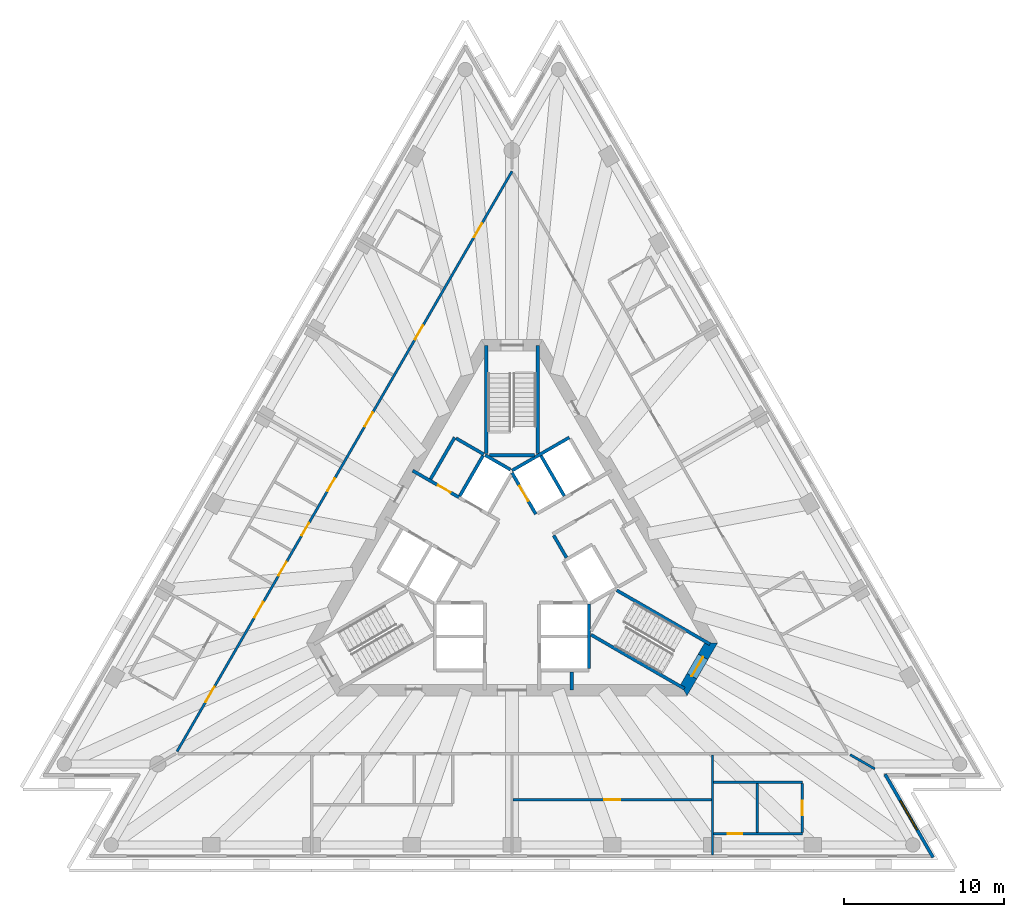
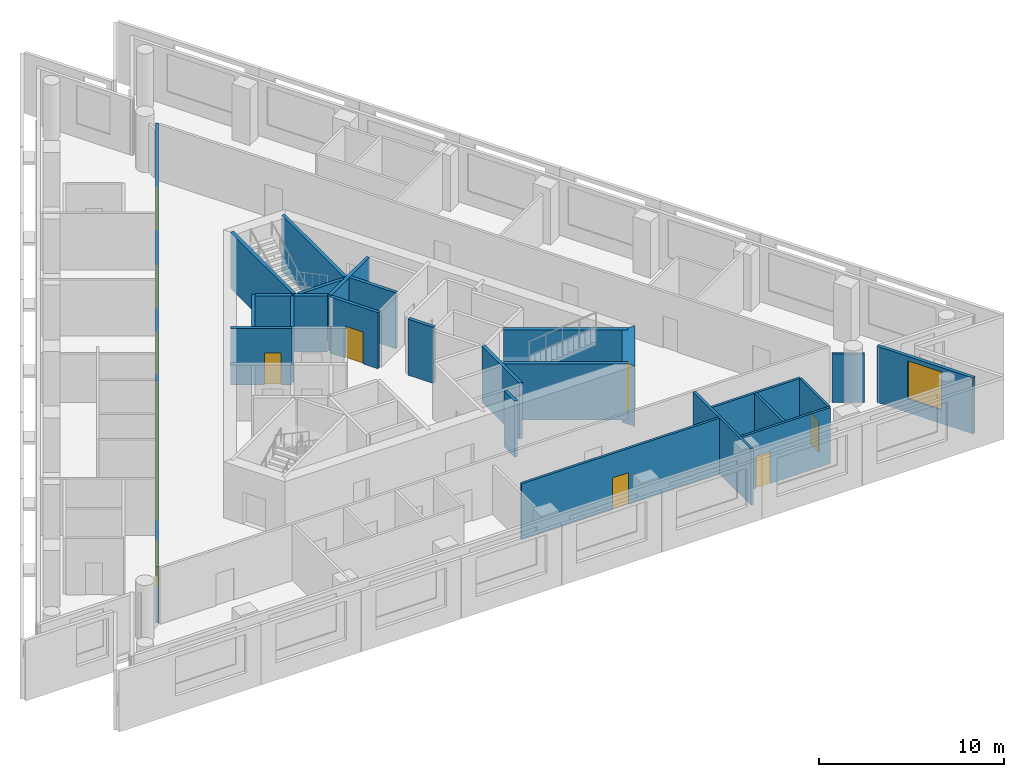
# One storey, part 5 of 10: 26 walls, 14 doors, 1 window, 15 openings.
"""IFC4 building model written with IfcOpenShell, lengths in metres."""

from ifc_helpers import new_model, si_unit, direction, frame, frame_2d, origin, place, context, subcontext, project, spatial, polyline, rectangle, outline, extrude, material, layer, layer_set, layer_usage, type_object, element, fill, save


model = new_model("IFC4")

# Units and contexts
model_context = context("Model", 3, precision=1e-05, world=origin(), true_north=direction((0.0, 1.0)))
body_context = subcontext(model_context, "Body", "Model", "MODEL_VIEW")
ifc_project = project(units=[si_unit("LENGTHUNIT", "METRE"), si_unit("AREAUNIT", "SQUARE_METRE"), si_unit("VOLUMEUNIT", "CUBIC_METRE"), si_unit("PLANEANGLEUNIT", "RADIAN"), si_unit("MASSUNIT", "GRAM", prefix="KILO")], contexts=[model_context])

# Site, building, storey
site_placement = place(None, origin())
site = spatial("IfcSite", under=ifc_project, at=site_placement, CompositionType="ELEMENT")
building_placement = place(site_placement, origin())
building = spatial("IfcBuilding", under=site, at=building_placement, Name="Triada Interchange Tower", CompositionType="ELEMENT")
storey_placement = place(building_placement, frame((0.0, 0.0, 195.300048828125)))
storey = spatial("IfcBuildingStorey", under=building, at=storey_placement, Name="L45", CompositionType="ELEMENT", Elevation=195.300048828125)

# Wall
ifc_material_1 = material(Name="Concrete C30/37", Category="concrete")
ifc_layer_1 = layer(ifc_material_1, 0.199951171875)
ifc_layer_set_1 = layer_set([ifc_layer_1], Name="CORE WALL 200 EI 120")
wall_type_1 = type_object("IfcWallType", Name="CORE WALL 200 EI 120", PredefinedType="SOLIDWALL", material=ifc_layer_set_1)
wall_1_placement = place(storey_placement, frame((-0.001953125, 5.541015625, 0.0), z_axis=(0.0, 0.0, 1.0), x_axis=(0.86600155993, 0.500041296494, 0.0)))
element("IfcWall", 1, at=wall_1_placement, inside=storey, type_object=wall_type_1, Name="Wall L44 54", PredefinedType="SOLIDWALL", context=body_context, shape_type="SweptSolid", body=[
    extrude(rectangle(XDim=4.131591796875, YDim=0.199951171875, at=frame_2d((2.06591796875, 0.0))), origin(), (0.0, 0.0, 1.0), 3.699951171875),
])

# Wall, opening, door
wall_2_placement = place(storey_placement, frame((0.0, 5.39990234375, 0.0), z_axis=(0.0, 0.0, 1.0), x_axis=(0.500103862429, -0.865965430478, 0.0)))
wall_2 = element("IfcWall", 2, at=wall_2_placement, inside=storey, type_object=wall_type_1, Name="Wall L44 55", PredefinedType="SOLIDWALL", context=body_context, shape_type="SweptSolid", body=[
    extrude(rectangle(XDim=2.973388671875, YDim=0.199951171875, at=frame_2d((1.48681640625, 0.0))), origin(), (0.0, 0.0, 1.0), 3.699951171875),
])
opening_1_placement = place(wall_2_placement, frame((0.93701171875, 0.0, 0.0)))
opening_1 = element("IfcOpeningElement", 3, at=opening_1_placement, cuts=wall_2, Name="Opening LD-HR5", PredefinedType="OPENING", context=body_context, shape_type="SweptSolid", body=[
    extrude(rectangle(XDim=1.10009765625, YDim=2.10009765625, at=frame_2d((0.550048828125, 1.050048828125))), frame((0.0, 0.10986328125, 0.0), z_axis=(0.0, -1.0, 0.0), x_axis=(1.0, 0.0, 0.0)), (0.0, 0.0, 1.0), 0.219970703125),
])
ifc_material_2 = material(Name="Steel S235 door leaf", Category="steel")
door_type_1 = type_object("IfcDoorType", Name="LIFT LANDING DOOR 1100 EI 120", OperationType="SLIDING_TO_LEFT", PredefinedType="DOOR", material=ifc_material_2)
door_1_placement = place(opening_1_placement, origin())
door_1 = element("IfcDoor", 4, at=door_1_placement, inside=storey, type_object=door_type_1, Name="HR5 landing door L45", OperationType="SLIDING_TO_LEFT", OverallHeight=2.10009765625, OverallWidth=1.10009765625, PredefinedType="DOOR", context=body_context, shape_type="SweptSolid", body=[
    extrude(rectangle(XDim=1.10009765625, YDim=2.10009765625, at=frame_2d((0.550048828125, 1.050048828125))), frame((0.0, 0.02490234375, 0.0), z_axis=(0.0, -1.0, 0.0), x_axis=(1.0, 0.0, 0.0)), (0.0, 0.0, 1.0), 0.050048828125),
])
fill(opening_1, door_1)

# Walls
wall_3_placement = place(storey_placement, frame((4.800048828125, -6.800048828125, 0.0), z_axis=(0.0, 0.0, 1.0), x_axis=(0.0, 1.0, 0.0)))
element("IfcWall", 5, at=wall_3_placement, inside=storey, type_object=wall_type_1, Name="Wall L44 59", PredefinedType="SOLIDWALL", context=body_context, shape_type="SweptSolid", body=[
    extrude(rectangle(XDim=4.029052734375, YDim=0.199951171875, at=frame_2d((2.0146484375, 0.0))), origin(), (0.0, 0.0, 1.0), 3.699951171875),
])
wall_4_placement = place(storey_placement, frame((1.806884765625, 6.469970703125, 0.0), z_axis=(0.0, 0.0, 1.0), x_axis=(0.50012328804, -0.865954211699, 0.0)))
element("IfcWall", 6, at=wall_4_placement, inside=storey, type_object=wall_type_1, Name="Wall L44 63", PredefinedType="SOLIDWALL", context=body_context, shape_type="SweptSolid", body=[
    extrude(rectangle(XDim=2.899658203125, YDim=0.199951171875, at=frame_2d((1.44970703125, 0.0))), origin(), (0.0, 0.0, 1.0), 3.699951171875),
])
wall_5_placement = place(storey_placement, frame((2.597900390625, 1.5, 0.0), z_axis=(0.0, 0.0, 1.0), x_axis=(0.499929347863, -0.866066190972, 0.0)))
element("IfcWall", 7, at=wall_5_placement, inside=storey, type_object=wall_type_1, Name="Wall L44 68", PredefinedType="SOLIDWALL", context=body_context, shape_type="SweptSolid", body=[
    extrude(rectangle(XDim=1.600341796875, YDim=0.199951171875, at=frame_2d((0.80029296875, 0.0))), origin(), (0.0, 0.0, 1.0), 3.699951171875),
])

# Wall, opening, door
ifc_layer_2 = layer(ifc_material_1, 0.199951171875)
ifc_layer_set_2 = layer_set([ifc_layer_2], Name="CORE WALL 200 EI 180")
wall_type_2 = type_object("IfcWallType", Name="CORE WALL 200 EI 180", PredefinedType="SOLIDWALL", material=ifc_layer_set_2)
wall_6_placement = place(storey_placement, frame((-6.19091796875, 5.537109375, 0.0), z_axis=(0.0, 0.0, 1.0), x_axis=(0.866052607023, -0.499952879648, 0.0)))
wall_6 = element("IfcWall", 8, at=wall_6_placement, inside=storey, type_object=wall_type_2, Name="Wall L44 71", PredefinedType="SOLIDWALL", context=body_context, shape_type="SweptSolid", body=[
    extrude(rectangle(XDim=3.332275390625, YDim=0.199951171875, at=frame_2d((1.666015625, 0.0))), origin(), (0.0, 0.0, 1.0), 3.699951171875),
])
opening_2_placement = place(wall_6_placement, frame((1.830078125, 0.0, 0.0)))
opening_2 = element("IfcOpeningElement", 9, at=opening_2_placement, cuts=wall_6, Name="Opening D44-10", PredefinedType="OPENING", context=body_context, shape_type="SweptSolid", body=[
    extrude(rectangle(XDim=0.89990234375, YDim=2.10009765625, at=frame_2d((0.449951171875, 1.050048828125))), frame((0.0, 0.10986328125, 0.0), z_axis=(0.0, -1.0, 0.0), x_axis=(1.0, 0.0, 0.0)), (0.0, 0.0, 1.0), 0.219970703125),
])
door_type_2 = type_object("IfcDoorType", Name="SERVICE DOOR 900 EI2 90-C5S200", OperationType="NOTDEFINED", PredefinedType="DOOR", material=ifc_material_2)
door_2_placement = place(opening_2_placement, origin())
door_2 = element("IfcDoor", 10, at=door_2_placement, inside=storey, type_object=door_type_2, Name="Door D44-10 L45", OperationType="SINGLE_SWING_LEFT", OverallHeight=2.10009765625, OverallWidth=0.89990234375, PredefinedType="DOOR", context=body_context, shape_type="SweptSolid", body=[
    extrude(rectangle(XDim=0.89990234375, YDim=2.10009765625, at=frame_2d((0.449951171875, 1.050048828125))), frame((0.0, 0.02490234375, 0.0), z_axis=(0.0, -1.0, 0.0), x_axis=(1.0, 0.0, 0.0)), (0.0, 0.0, 1.0), 0.050048828125),
])
fill(opening_2, door_2)

# Walls
wall_7_placement = place(storey_placement, frame((-5.075927734375, 5.009033203125, 0.0), z_axis=(0.0, 0.0, 1.0), x_axis=(0.50002537861, 0.866010750942, 0.0)))
element("IfcWall", 11, at=wall_7_placement, inside=storey, type_object=wall_type_2, Name="Wall L44 73", PredefinedType="SOLIDWALL", context=body_context, shape_type="SweptSolid", body=[
    extrude(rectangle(XDim=2.999755859375, YDim=0.199951171875, at=frame_2d((1.5, 0.0))), origin(), (0.0, 0.0, 1.0), 3.699951171875),
])
wall_8_placement = place(storey_placement, frame((-3.489013671875, 7.556884765625, 0.0), z_axis=(0.0, 0.0, 1.0), x_axis=(0.866010750942, -0.50002537861, 0.0)))
element("IfcWall", 12, at=wall_8_placement, inside=storey, type_object=wall_type_2, Name="Wall L44 74", PredefinedType="SOLIDWALL", context=body_context, shape_type="SweptSolid", body=[
    extrude(rectangle(XDim=2.0, YDim=0.199951171875, at=frame_2d((1.0, 0.0))), origin(), (0.0, 0.0, 1.0), 3.699951171875),
])
wall_9_placement = place(storey_placement, frame((-3.257080078125, 3.958984375, 0.0), z_axis=(0.0, 0.0, 1.0), x_axis=(0.50012328804, 0.865954211699, 0.0)))
element("IfcWall", 13, at=wall_9_placement, inside=storey, type_object=wall_type_2, Name="Shaft wall FF2 L44 81", PredefinedType="SOLIDWALL", context=body_context, shape_type="SweptSolid", body=[
    extrude(rectangle(XDim=2.899658203125, YDim=0.199951171875, at=frame_2d((1.44970703125, 0.0))), origin(), (0.0, 0.0, 1.0), 3.699951171875),
])
wall_10_placement = place(storey_placement, frame((-1.669921875, 6.507080078125, 0.0), z_axis=(0.0, 0.0, 1.0), x_axis=(0.865941441609, -0.500145398563, 0.0)))
element("IfcWall", 14, at=wall_10_placement, inside=storey, type_object=wall_type_2, Name="Shaft wall FF2 L44 82", PredefinedType="SOLIDWALL", context=body_context, shape_type="SweptSolid", body=[
    extrude(rectangle(XDim=1.8154296875, YDim=0.199951171875, at=frame_2d((0.90771484375, 0.0))), origin(), (0.0, 0.0, 1.0), 3.699951171875),
])
ifc_layer_3 = layer(ifc_material_1, 0.199951171875)
ifc_layer_set_3 = layer_set([ifc_layer_3], Name="CORE WALL 200 EI 90")
wall_type_3 = type_object("IfcWallType", Name="CORE WALL 200 EI 90", PredefinedType="SOLIDWALL", material=ifc_layer_set_3)
wall_11_placement = place(storey_placement, frame((3.72412109375, -8.1298828125, 0.0), z_axis=(0.0, 0.0, 1.0), x_axis=(0.0, 1.0, 0.0)))
element("IfcWall", 15, at=wall_11_placement, inside=storey, type_object=wall_type_3, Name="Wall L44 84", PredefinedType="SOLIDWALL", context=body_context, shape_type="SweptSolid", body=[
    extrude(rectangle(XDim=1.1298828125, YDim=0.199951171875, at=frame_2d((0.56494140625, 0.0))), origin(), (0.0, 0.0, 1.0), 3.699951171875),
])
ifc_layer_4 = layer(ifc_material_1, 0.199951171875)
ifc_layer_set_4 = layer_set([ifc_layer_4], Name="CORE WALL 200 REI 240")
wall_type_4 = type_object("IfcWallType", Name="CORE WALL 200 REI 240", PredefinedType="SOLIDWALL", material=ifc_layer_set_4)
wall_12_placement = place(storey_placement, frame((1.60009765625, 6.614990234375, 0.0), z_axis=(0.0, 0.0, 1.0), x_axis=(0.0, 1.0, 0.0)))
element("IfcWall", 16, at=wall_12_placement, inside=storey, type_object=wall_type_4, Name="Wall L44 91", PredefinedType="SOLIDWALL", context=body_context, shape_type="SweptSolid", body=[
    extrude(rectangle(XDim=6.715087890625, YDim=0.199951171875, at=frame_2d((3.357421875, 0.0))), origin(), (0.0, 0.0, 1.0), 3.699951171875),
])
wall_13_placement = place(storey_placement, frame((-1.39990234375, 6.5, 0.0), z_axis=(0.0, 0.0, 1.0), x_axis=(1.0, 0.0, 0.0)))
element("IfcWall", 17, at=wall_13_placement, inside=storey, type_object=wall_type_4, Name="Wall L44 92", PredefinedType="SOLIDWALL", context=body_context, shape_type="SweptSolid", body=[
    extrude(rectangle(XDim=2.7998046875, YDim=0.199951171875, at=frame_2d((1.39990234375, 0.0))), origin(), (0.0, 0.0, 1.0), 3.699951171875),
])
wall_14_placement = place(storey_placement, frame((-1.60009765625, 6.614990234375, 0.0), z_axis=(0.0, 0.0, 1.0), x_axis=(0.0, 1.0, 0.0)))
element("IfcWall", 18, at=wall_14_placement, inside=storey, type_object=wall_type_4, Name="Wall L44 93", PredefinedType="SOLIDWALL", context=body_context, shape_type="SweptSolid", body=[
    extrude(rectangle(XDim=6.715087890625, YDim=0.199951171875, at=frame_2d((3.357421875, 0.0))), origin(), (0.0, 0.0, 1.0), 3.699951171875),
])
wall_15_placement = place(storey_placement, frame((4.928955078125, -4.693115234375, 0.0), z_axis=(0.0, 0.0, 1.0), x_axis=(0.865983344943, -0.500072840975, 0.0)))
element("IfcWall", 19, at=wall_15_placement, inside=storey, type_object=wall_type_4, Name="Wall L44 94", PredefinedType="SOLIDWALL", context=body_context, shape_type="SweptSolid", body=[
    extrude(rectangle(XDim=6.71484375, YDim=0.199951171875, at=frame_2d((3.357421875, 0.0))), origin(), (0.0, 0.0, 1.0), 3.699951171875),
])
wall_16_placement = place(storey_placement, frame((6.529052734375, -1.922119140625, 0.0), z_axis=(0.0, 0.0, 1.0), x_axis=(0.866046323291, -0.499963764601, 0.0)))
element("IfcWall", 20, at=wall_16_placement, inside=storey, type_object=wall_type_4, Name="Wall L44 96", PredefinedType="SOLIDWALL", context=body_context, shape_type="SweptSolid", body=[
    extrude(rectangle(XDim=6.71435546875, YDim=0.199951171875, at=frame_2d((3.357177734375, 0.0))), origin(), (0.0, 0.0, 1.0), 3.699951171875),
])

# Wall, opening, door
ifc_material_3 = material(Name="Concrete C50/60", Category="concrete")
ifc_layer_5 = layer(ifc_material_3, 0.699951171875)
ifc_layer_set_5 = layer_set([ifc_layer_5], Name="Core wall C 700")
wall_type_5 = type_object("IfcWallType", Name="Core wall C 700", PredefinedType="SHEAR", material=ifc_layer_set_5)
wall_17_placement = place(storey_placement, frame((10.7099609375, -8.14990234375, -0.300048828125), z_axis=(0.0, 0.0, 1.0), x_axis=(0.49999337185, 0.866029230515, 0.0)))
wall_17 = element("IfcWall", 21, at=wall_17_placement, inside=storey, type_object=wall_type_5, Name="Core wall WC05 L45", PredefinedType="SHEAR", context=body_context, shape_type="SweptSolid", body=[
    extrude(outline(polyline([(-0.201904296875, -0.35009765625), (1.703125, -0.35009765625), (3.60791015625, -0.35009765625), (3.2041015625, 0.35009765625), (1.703125, 0.35009765625), (0.201904296875, 0.35009765625), (-0.201904296875, -0.35009765625)])), origin(), (0.0, 0.0, 1.0), 4.0),
])
opening_3_placement = place(wall_17_placement, frame((1.0029296875, 0.0, 0.300048828125)))
opening_3 = element("IfcOpeningElement", 22, at=opening_3_placement, cuts=wall_17, Name="Opening D44-42", PredefinedType="OPENING", context=body_context, shape_type="SweptSolid", body=[
    extrude(rectangle(XDim=1.39990234375, YDim=2.10009765625, at=frame_2d((0.699951171875, 1.050048828125))), frame((0.0, 0.360107421875, 0.0), z_axis=(0.0, -1.0, 0.0), x_axis=(1.0, 0.0, 0.0)), (0.0, 0.0, 1.0), 0.72021484375),
])
door_type_3 = type_object("IfcDoorType", Name="STAIR DOOR 1400 EI2 90-C5S200", OperationType="DOUBLE_DOOR_SINGLE_SWING", PredefinedType="DOOR", material=ifc_material_2)
door_3_placement = place(opening_3_placement, origin())
door_3 = element("IfcDoor", 23, at=door_3_placement, inside=storey, type_object=door_type_3, Name="Door D44-42 L45", OperationType="DOUBLE_DOOR_SINGLE_SWING", OverallHeight=2.10009765625, OverallWidth=1.39990234375, PredefinedType="DOOR", context=body_context, shape_type="SweptSolid", body=[
    extrude(rectangle(XDim=1.39990234375, YDim=2.10009765625, at=frame_2d((0.699951171875, 1.050048828125))), frame((0.0, 0.02490234375, 0.0), z_axis=(0.0, -1.0, 0.0), x_axis=(1.0, 0.0, 0.0)), (0.0, 0.0, 1.0), 0.050048828125),
])
fill(opening_3, door_3)

# Wall, opening, window
ifc_material_4 = material(Name="Cement board")
ifc_layer_6 = layer(ifc_material_4, 0.02001953125, Name="Cement board cladding")
ifc_material_5 = material(Name="Sheathing board")
ifc_layer_7 = layer(ifc_material_5, 0.014892578125, Name="Sheathing board")
ifc_material_6 = material(Name="Mineral wool")
ifc_layer_8 = layer(ifc_material_6, 0.14990234375, Name="Mineral wool between steel studs")
ifc_material_7 = material(Name="Gypsum board")
ifc_layer_9 = layer(ifc_material_7, 0.014892578125, Name="Plasterboard lining")
ifc_layer_set_6 = layer_set([ifc_layer_6, ifc_layer_7, ifc_layer_8, ifc_layer_9], Name="External wall 200")
ifc_layer_usage = layer_usage(ifc_layer_set_6, "AXIS2", "POSITIVE", -0.10009765625)
wall_type_6 = type_object("IfcWallType", Name="External wall 200", PredefinedType="ELEMENTEDWALL", material=ifc_layer_set_6)
wall_18_placement = place(storey_placement, frame((26.2509765625, -18.572998046875, 0.0), z_axis=(0.0, 0.0, 1.0), x_axis=(-0.499896541353, 0.866085127423, 0.0)))
wall_18 = element("IfcWall", 24, at=wall_18_placement, inside=storey, type_object=wall_type_6, material=ifc_layer_usage, Name="External wall L45 SE-1", PredefinedType="ELEMENTEDWALL", context=body_context, shape_type="SweptSolid", body=[
    extrude(rectangle(XDim=5.989013671875, YDim=0.199951171875, at=frame_2d((2.99462890625, 0.0))), origin(), (0.0, 0.0, 1.0), 3.699951171875),
])
opening_4_placement = place(wall_18_placement, frame((1.989990234375, 0.0, 0.89990234375)))
opening_4 = element("IfcOpeningElement", 25, at=opening_4_placement, cuts=wall_18, Name="Opening WC19", PredefinedType="OPENING", context=body_context, shape_type="SweptSolid", body=[
    extrude(rectangle(XDim=2.10009765625, YDim=2.5, at=frame_2d((1.050048828125, 1.25))), frame((0.0, 0.10986328125, 0.0), z_axis=(0.0, -1.0, 0.0), x_axis=(1.0, 0.0, 0.0)), (0.0, 0.0, 1.0), 0.219970703125),
])
ifc_material_8 = material(Name="Double glazed aluminium window", Category="aluminium")
window_type = type_object("IfcWindowType", Name="Ribbon window C pocket", PartitioningType="SINGLE_PANEL", PredefinedType="WINDOW", material=ifc_material_8)
window_placement = place(opening_4_placement, origin())
window = element("IfcWindow", 26, at=window_placement, inside=storey, type_object=window_type, Name="Window L45 SE-1 1", OverallHeight=2.5, OverallWidth=2.10009765625, PartitioningType="SINGLE_PANEL", PredefinedType="WINDOW", context=body_context, shape_type="SweptSolid", body=[
    extrude(rectangle(XDim=2.10009765625, YDim=2.5, at=frame_2d((1.050048828125, 1.25))), frame((0.0, 0.030029296875, 0.0), z_axis=(0.0, -1.0, 0.0), x_axis=(1.0, 0.0, 0.0)), (0.0, 0.0, 1.0), 0.06005859375),
])
fill(opening_4, window)

# Wall, openings, doors
ifc_material_9 = material(Name="Gypsum board partition")
ifc_layer_10 = layer(ifc_material_9, 0.14990234375)
ifc_layer_set_7 = layer_set([ifc_layer_10], Name="PARTITION 150 EI 180")
wall_type_7 = type_object("IfcWallType", Name="PARTITION 150 EI 180", PredefinedType="PARTITIONING", material=ifc_layer_set_7)
wall_19_placement = place(storey_placement, frame((-20.882080078125, -11.968994140625, 0.0), z_axis=(0.0, 0.0, 1.0), x_axis=(0.499998738735, 0.866026131975, 0.0)))
wall_19 = element("IfcWall", 27, at=wall_19_placement, inside=storey, type_object=wall_type_7, Name="Wall L44 4", PredefinedType="PARTITIONING", context=body_context, shape_type="SweptSolid", body=[
    extrude(rectangle(XDim=41.76416015625, YDim=0.14990234375, at=frame_2d((20.882080078125, 0.0))), origin(), (0.0, 0.0, 1.0), 3.699951171875),
])
opening_5_placement = place(wall_19_placement, frame((37.013916015625, 0.0, 0.0)))
opening_5 = element("IfcOpeningElement", 28, at=opening_5_placement, cuts=wall_19, Name="Opening D44-28", PredefinedType="OPENING", context=body_context, shape_type="SweptSolid", body=[
    extrude(rectangle(XDim=1.0, YDim=2.10009765625, at=frame_2d((0.5, 1.050048828125))), frame((0.0, 0.0849609375, 0.0), z_axis=(0.0, -1.0, 0.0), x_axis=(1.0, 0.0, 0.0)), (0.0, 0.0, 1.0), 0.169921875),
])
opening_6_placement = place(wall_19_placement, frame((29.653076171875, 0.0, 0.0)))
opening_6 = element("IfcOpeningElement", 29, at=opening_6_placement, cuts=wall_19, Name="Opening D44-30", PredefinedType="OPENING", context=body_context, shape_type="SweptSolid", body=[
    extrude(rectangle(XDim=1.0, YDim=2.10009765625, at=frame_2d((0.5, 1.050048828125))), frame((0.0, 0.0849609375, 0.0), z_axis=(0.0, -1.0, 0.0), x_axis=(1.0, 0.0, 0.0)), (0.0, 0.0, 1.0), 0.169921875),
])
opening_7_placement = place(wall_19_placement, frame((23.405029296875, 0.0, 0.0)))
opening_7 = element("IfcOpeningElement", 30, at=opening_7_placement, cuts=wall_19, Name="Opening D44-31", PredefinedType="OPENING", context=body_context, shape_type="SweptSolid", body=[
    extrude(rectangle(XDim=1.0, YDim=2.10009765625, at=frame_2d((0.5, 1.050048828125))), frame((0.0, 0.0849609375, 0.0), z_axis=(0.0, -1.0, 0.0), x_axis=(1.0, 0.0, 0.0)), (0.0, 0.0, 1.0), 0.169921875),
])
opening_8_placement = place(wall_19_placement, frame((9.656982421875, 0.0, 0.0)))
opening_8 = element("IfcOpeningElement", 31, at=opening_8_placement, cuts=wall_19, Name="Opening D44-32", PredefinedType="OPENING", context=body_context, shape_type="SweptSolid", body=[
    extrude(rectangle(XDim=1.10009765625, YDim=2.10009765625, at=frame_2d((0.550048828125, 1.050048828125))), frame((0.0, 0.0849609375, 0.0), z_axis=(0.0, -1.0, 0.0), x_axis=(1.0, 0.0, 0.0)), (0.0, 0.0, 1.0), 0.169921875),
])
opening_9_placement = place(wall_19_placement, frame((18.757080078125, 0.0, 0.0)))
opening_9 = element("IfcOpeningElement", 32, at=opening_9_placement, cuts=wall_19, Name="Opening D44-33", PredefinedType="OPENING", context=body_context, shape_type="SweptSolid", body=[
    extrude(rectangle(XDim=0.89990234375, YDim=2.10009765625, at=frame_2d((0.449951171875, 1.050048828125))), frame((0.0, 0.0849609375, 0.0), z_axis=(0.0, -1.0, 0.0), x_axis=(1.0, 0.0, 0.0)), (0.0, 0.0, 1.0), 0.169921875),
])
opening_10_placement = place(wall_19_placement, frame((15.556884765625, 0.0, 0.0)))
opening_10 = element("IfcOpeningElement", 33, at=opening_10_placement, cuts=wall_19, Name="Opening D44-34", PredefinedType="OPENING", context=body_context, shape_type="SweptSolid", body=[
    extrude(rectangle(XDim=0.89990234375, YDim=2.10009765625, at=frame_2d((0.449951171875, 1.050048828125))), frame((0.0, 0.0849609375, 0.0), z_axis=(0.0, -1.0, 0.0), x_axis=(1.0, 0.0, 0.0)), (0.0, 0.0, 1.0), 0.169921875),
])
opening_11_placement = place(wall_19_placement, frame((12.656982421875, 0.0, 0.0)))
opening_11 = element("IfcOpeningElement", 34, at=opening_11_placement, cuts=wall_19, Name="Opening D44-35", PredefinedType="OPENING", context=body_context, shape_type="SweptSolid", body=[
    extrude(rectangle(XDim=1.0, YDim=2.10009765625, at=frame_2d((0.5, 1.050048828125))), frame((0.0, 0.0849609375, 0.0), z_axis=(0.0, -1.0, 0.0), x_axis=(1.0, 0.0, 0.0)), (0.0, 0.0, 1.0), 0.169921875),
])
opening_12_placement = place(wall_19_placement, frame((3.56005859375, 0.0, 0.0)))
opening_12 = element("IfcOpeningElement", 35, at=opening_12_placement, cuts=wall_19, Name="Opening D44-36", PredefinedType="OPENING", context=body_context, shape_type="SweptSolid", body=[
    extrude(rectangle(XDim=1.10009765625, YDim=2.10009765625, at=frame_2d((0.550048828125, 1.050048828125))), frame((0.0, 0.0849609375, 0.0), z_axis=(0.0, -1.0, 0.0), x_axis=(1.0, 0.0, 0.0)), (0.0, 0.0, 1.0), 0.169921875),
])
door_type_4 = type_object("IfcDoorType", Name="ROOM DOOR 1000 EI2 90-C5S200", OperationType="NOTDEFINED", PredefinedType="DOOR", material=ifc_material_2)
door_4_placement = place(opening_5_placement, origin())
door_4 = element("IfcDoor", 36, at=door_4_placement, inside=storey, type_object=door_type_4, Name="Door D44-28 L45", OperationType="SINGLE_SWING_RIGHT", OverallHeight=2.10009765625, OverallWidth=1.0, PredefinedType="DOOR", context=body_context, shape_type="SweptSolid", body=[
    extrude(rectangle(XDim=1.0, YDim=2.10009765625, at=frame_2d((0.5, 1.050048828125))), frame((0.0, 0.02490234375, 0.0), z_axis=(0.0, -1.0, 0.0), x_axis=(1.0, 0.0, 0.0)), (0.0, 0.0, 1.0), 0.050048828125),
])
fill(opening_5, door_4)
door_5_placement = place(opening_6_placement, origin())
door_5 = element("IfcDoor", 37, at=door_5_placement, inside=storey, type_object=door_type_4, Name="Door D44-30 L45", OperationType="SINGLE_SWING_RIGHT", OverallHeight=2.10009765625, OverallWidth=1.0, PredefinedType="DOOR", context=body_context, shape_type="SweptSolid", body=[
    extrude(rectangle(XDim=1.0, YDim=2.10009765625, at=frame_2d((0.5, 1.050048828125))), frame((0.0, 0.02490234375, 0.0), z_axis=(0.0, -1.0, 0.0), x_axis=(1.0, 0.0, 0.0)), (0.0, 0.0, 1.0), 0.050048828125),
])
fill(opening_6, door_5)
door_6_placement = place(opening_7_placement, origin())
door_6 = element("IfcDoor", 38, at=door_6_placement, inside=storey, type_object=door_type_4, Name="Door D44-31 L45", OperationType="SINGLE_SWING_RIGHT", OverallHeight=2.10009765625, OverallWidth=1.0, PredefinedType="DOOR", context=body_context, shape_type="SweptSolid", body=[
    extrude(rectangle(XDim=1.0, YDim=2.10009765625, at=frame_2d((0.5, 1.050048828125))), frame((0.0, 0.02490234375, 0.0), z_axis=(0.0, -1.0, 0.0), x_axis=(1.0, 0.0, 0.0)), (0.0, 0.0, 1.0), 0.050048828125),
])
fill(opening_7, door_6)
door_7_placement = place(opening_11_placement, origin())
door_7 = element("IfcDoor", 39, at=door_7_placement, inside=storey, type_object=door_type_4, Name="Door D44-35 L45", OperationType="SINGLE_SWING_RIGHT", OverallHeight=2.10009765625, OverallWidth=1.0, PredefinedType="DOOR", context=body_context, shape_type="SweptSolid", body=[
    extrude(rectangle(XDim=1.0, YDim=2.10009765625, at=frame_2d((0.5, 1.050048828125))), frame((0.0, 0.02490234375, 0.0), z_axis=(0.0, -1.0, 0.0), x_axis=(1.0, 0.0, 0.0)), (0.0, 0.0, 1.0), 0.050048828125),
])
fill(opening_11, door_7)
door_type_5 = type_object("IfcDoorType", Name="ROOM DOOR 900 EI2 90-C5S200", OperationType="NOTDEFINED", PredefinedType="DOOR", material=ifc_material_2)
door_8_placement = place(opening_9_placement, origin())
door_8 = element("IfcDoor", 40, at=door_8_placement, inside=storey, type_object=door_type_5, Name="Door D44-33 L45", OperationType="SINGLE_SWING_LEFT", OverallHeight=2.10009765625, OverallWidth=0.89990234375, PredefinedType="DOOR", context=body_context, shape_type="SweptSolid", body=[
    extrude(rectangle(XDim=0.89990234375, YDim=2.10009765625, at=frame_2d((0.449951171875, 1.050048828125))), frame((0.0, 0.02490234375, 0.0), z_axis=(0.0, -1.0, 0.0), x_axis=(1.0, 0.0, 0.0)), (0.0, 0.0, 1.0), 0.050048828125),
])
fill(opening_9, door_8)
door_9_placement = place(opening_10_placement, origin())
door_9 = element("IfcDoor", 41, at=door_9_placement, inside=storey, type_object=door_type_5, Name="Door D44-34 L45", OperationType="SINGLE_SWING_RIGHT", OverallHeight=2.10009765625, OverallWidth=0.89990234375, PredefinedType="DOOR", context=body_context, shape_type="SweptSolid", body=[
    extrude(rectangle(XDim=0.89990234375, YDim=2.10009765625, at=frame_2d((0.449951171875, 1.050048828125))), frame((0.0, 0.02490234375, 0.0), z_axis=(0.0, -1.0, 0.0), x_axis=(1.0, 0.0, 0.0)), (0.0, 0.0, 1.0), 0.050048828125),
])
fill(opening_10, door_9)
door_type_6 = type_object("IfcDoorType", Name="TENANCY ENTRANCE DOOR 1100 EI2 90-C5S200", OperationType="NOTDEFINED", PredefinedType="DOOR", material=ifc_material_2)
door_10_placement = place(opening_8_placement, origin())
door_10 = element("IfcDoor", 42, at=door_10_placement, inside=storey, type_object=door_type_6, Name="Door D44-32 L45", OperationType="SINGLE_SWING_LEFT", OverallHeight=2.10009765625, OverallWidth=1.10009765625, PredefinedType="DOOR", context=body_context, shape_type="SweptSolid", body=[
    extrude(rectangle(XDim=1.10009765625, YDim=2.10009765625, at=frame_2d((0.550048828125, 1.050048828125))), frame((0.0, 0.02490234375, 0.0), z_axis=(0.0, -1.0, 0.0), x_axis=(1.0, 0.0, 0.0)), (0.0, 0.0, 1.0), 0.050048828125),
])
fill(opening_8, door_10)
door_11_placement = place(opening_12_placement, origin())
door_11 = element("IfcDoor", 43, at=door_11_placement, inside=storey, type_object=door_type_6, Name="Door D44-36 L45", OperationType="SINGLE_SWING_LEFT", OverallHeight=2.10009765625, OverallWidth=1.10009765625, PredefinedType="DOOR", context=body_context, shape_type="SweptSolid", body=[
    extrude(rectangle(XDim=1.10009765625, YDim=2.10009765625, at=frame_2d((0.550048828125, 1.050048828125))), frame((0.0, 0.02490234375, 0.0), z_axis=(0.0, -1.0, 0.0), x_axis=(1.0, 0.0, 0.0)), (0.0, 0.0, 1.0), 0.050048828125),
])
fill(opening_12, door_11)

# Walls
wall_20_placement = place(storey_placement, frame((21.0869140625, -12.174072265625, 0.0), z_axis=(0.0, 0.0, 1.0), x_axis=(0.866022094817, -0.500005731256, 0.0)))
element("IfcWall", 44, at=wall_20_placement, inside=storey, type_object=wall_type_7, Name="Wall L44 10", PredefinedType="PARTITIONING", context=body_context, shape_type="SweptSolid", body=[
    extrude(rectangle(XDim=1.765625, YDim=0.14990234375, at=frame_2d((0.8828125, 0.0))), origin(), (0.0, 0.0, 1.0), 3.199951171875),
])
wall_21_placement = place(storey_placement, frame((12.4970703125, -18.4150390625, 0.0), z_axis=(0.0, 0.0, 1.0), x_axis=(0.0, 1.0, 0.0)))
element("IfcWall", 45, at=wall_21_placement, inside=storey, type_object=wall_type_7, Name="Wall L44 23", PredefinedType="PARTITIONING", context=body_context, shape_type="SweptSolid", body=[
    extrude(rectangle(XDim=6.239990234375, YDim=0.14990234375, at=frame_2d((3.1201171875, 0.0))), origin(), (0.0, 0.0, 1.0), 3.699951171875),
])

# Wall, opening, door
ifc_layer_11 = layer(ifc_material_9, 0.14990234375)
ifc_layer_set_8 = layer_set([ifc_layer_11], Name="PARTITION 150 EI 90")
wall_type_8 = type_object("IfcWallType", Name="PARTITION 150 EI 90", PredefinedType="PARTITIONING", material=ifc_layer_set_8)
wall_22_placement = place(storey_placement, frame((0.074951171875, -14.97802734375, 0.0), z_axis=(0.0, 0.0, 1.0), x_axis=(1.0, 0.0, 0.0)))
wall_22 = element("IfcWall", 46, at=wall_22_placement, inside=storey, type_object=wall_type_8, Name="Wall L44 34", PredefinedType="PARTITIONING", context=body_context, shape_type="SweptSolid", body=[
    extrude(rectangle(XDim=12.34716796875, YDim=0.14990234375, at=frame_2d((6.173583984375, 0.0))), origin(), (0.0, 0.0, 1.0), 3.699951171875),
])
opening_13_placement = place(wall_22_placement, frame((5.675048828125, 0.0, 0.0)))
opening_13 = element("IfcOpeningElement", 47, at=opening_13_placement, cuts=wall_22, Name="Opening D44-17", PredefinedType="OPENING", context=body_context, shape_type="SweptSolid", body=[
    extrude(rectangle(XDim=1.0, YDim=2.10009765625, at=frame_2d((0.5, 1.050048828125))), frame((0.0, 0.0849609375, 0.0), z_axis=(0.0, -1.0, 0.0), x_axis=(1.0, 0.0, 0.0)), (0.0, 0.0, 1.0), 0.169921875),
])
door_type_7 = type_object("IfcDoorType", Name="ROOM DOOR 1000 EI2 45-C5S200", OperationType="NOTDEFINED", PredefinedType="DOOR", material=ifc_material_2)
door_12_placement = place(opening_13_placement, origin())
door_12 = element("IfcDoor", 48, at=door_12_placement, inside=storey, type_object=door_type_7, Name="Door D44-17 L45", OperationType="SINGLE_SWING_RIGHT", OverallHeight=2.10009765625, OverallWidth=1.0, PredefinedType="DOOR", context=body_context, shape_type="SweptSolid", body=[
    extrude(rectangle(XDim=1.0, YDim=2.10009765625, at=frame_2d((0.5, 1.050048828125))), frame((0.0, 0.02490234375, 0.0), z_axis=(0.0, -1.0, 0.0), x_axis=(1.0, 0.0, 0.0)), (0.0, 0.0, 1.0), 0.050048828125),
])
fill(opening_13, door_12)

wall_23_placement = place(storey_placement, frame((12.572021484375, -17.097900390625, 0.0), z_axis=(0.0, 0.0, 1.0), x_axis=(1.0, 0.0, 0.0)))
wall_23 = element("IfcWall", 49, at=wall_23_placement, inside=storey, type_object=wall_type_8, Name="Wall L44 40", PredefinedType="PARTITIONING", context=body_context, shape_type="SweptSolid", body=[
    extrude(rectangle(XDim=5.52490234375, YDim=0.14990234375, at=frame_2d((2.762451171875, 0.0))), origin(), (0.0, 0.0, 1.0), 3.699951171875),
])
opening_14_placement = place(wall_23_placement, frame((0.875, 0.0, 0.0)))
opening_14 = element("IfcOpeningElement", 50, at=opening_14_placement, cuts=wall_23, Name="Opening D44-19", PredefinedType="OPENING", context=body_context, shape_type="SweptSolid", body=[
    extrude(rectangle(XDim=0.89990234375, YDim=2.10009765625, at=frame_2d((0.449951171875, 1.050048828125))), frame((0.0, 0.0849609375, 0.0), z_axis=(0.0, -1.0, 0.0), x_axis=(1.0, 0.0, 0.0)), (0.0, 0.0, 1.0), 0.169921875),
])
door_type_8 = type_object("IfcDoorType", Name="ROOM DOOR 900 EI2 45-C5S200", OperationType="NOTDEFINED", PredefinedType="DOOR", material=ifc_material_2)
door_13_placement = place(opening_14_placement, origin())
door_13 = element("IfcDoor", 51, at=door_13_placement, inside=storey, type_object=door_type_8, Name="Door D44-19 L45", OperationType="SINGLE_SWING_LEFT", OverallHeight=2.10009765625, OverallWidth=0.89990234375, PredefinedType="DOOR", context=body_context, shape_type="SweptSolid", body=[
    extrude(rectangle(XDim=0.89990234375, YDim=2.10009765625, at=frame_2d((0.449951171875, 1.050048828125))), frame((0.0, 0.02490234375, 0.0), z_axis=(0.0, -1.0, 0.0), x_axis=(1.0, 0.0, 0.0)), (0.0, 0.0, 1.0), 0.050048828125),
])
fill(opening_14, door_13)

# Wall
wall_24_placement = place(storey_placement, frame((12.572021484375, -13.89990234375, 0.0), z_axis=(0.0, 0.0, 1.0), x_axis=(1.0, 0.0, 0.0)))
element("IfcWall", 52, at=wall_24_placement, inside=storey, type_object=wall_type_8, Name="Wall L44 41", PredefinedType="PARTITIONING", context=body_context, shape_type="SweptSolid", body=[
    extrude(rectangle(XDim=5.52490234375, YDim=0.14990234375, at=frame_2d((2.762451171875, 0.0))), origin(), (0.0, 0.0, 1.0), 3.699951171875),
])

# Wall, opening, door
wall_25_placement = place(storey_placement, frame((18.096923828125, -17.02294921875, 0.0), z_axis=(0.0, 0.0, 1.0), x_axis=(0.0, 1.0, 0.0)))
wall_25 = element("IfcWall", 53, at=wall_25_placement, inside=storey, type_object=wall_type_8, Name="Wall L44 42", PredefinedType="PARTITIONING", context=body_context, shape_type="SweptSolid", body=[
    extrude(rectangle(XDim=3.0478515625, YDim=0.14990234375, at=frame_2d((1.52392578125, 0.0))), origin(), (0.0, 0.0, 1.0), 3.699951171875),
])
opening_15_placement = place(wall_25_placement, frame((1.072998046875, 0.0, 0.0)))
opening_15 = element("IfcOpeningElement", 54, at=opening_15_placement, cuts=wall_25, Name="Opening D44-20", PredefinedType="OPENING", context=body_context, shape_type="SweptSolid", body=[
    extrude(rectangle(XDim=0.89990234375, YDim=2.10009765625, at=frame_2d((0.449951171875, 1.050048828125))), frame((0.0, 0.0849609375, 0.0), z_axis=(0.0, -1.0, 0.0), x_axis=(1.0, 0.0, 0.0)), (0.0, 0.0, 1.0), 0.169921875),
])
door_14_placement = place(opening_15_placement, origin())
door_14 = element("IfcDoor", 55, at=door_14_placement, inside=storey, type_object=door_type_8, Name="Door D44-20 L45", OperationType="SINGLE_SWING_LEFT", OverallHeight=2.10009765625, OverallWidth=0.89990234375, PredefinedType="DOOR", context=body_context, shape_type="SweptSolid", body=[
    extrude(rectangle(XDim=0.89990234375, YDim=2.10009765625, at=frame_2d((0.449951171875, 1.050048828125))), frame((0.0, 0.02490234375, 0.0), z_axis=(0.0, -1.0, 0.0), x_axis=(1.0, 0.0, 0.0)), (0.0, 0.0, 1.0), 0.050048828125),
])
fill(opening_15, door_14)

# Wall
wall_26_placement = place(storey_placement, frame((15.297119140625, -17.02294921875, 0.0), z_axis=(0.0, 0.0, 1.0), x_axis=(0.0, 1.0, 0.0)))
element("IfcWall", 56, at=wall_26_placement, inside=storey, type_object=wall_type_8, Name="Wall L44 43", PredefinedType="PARTITIONING", context=body_context, shape_type="SweptSolid", body=[
    extrude(rectangle(XDim=3.0478515625, YDim=0.14990234375, at=frame_2d((1.52392578125, 0.0))), origin(), (0.0, 0.0, 1.0), 3.699951171875),
])

save(model, "model.ifc")
